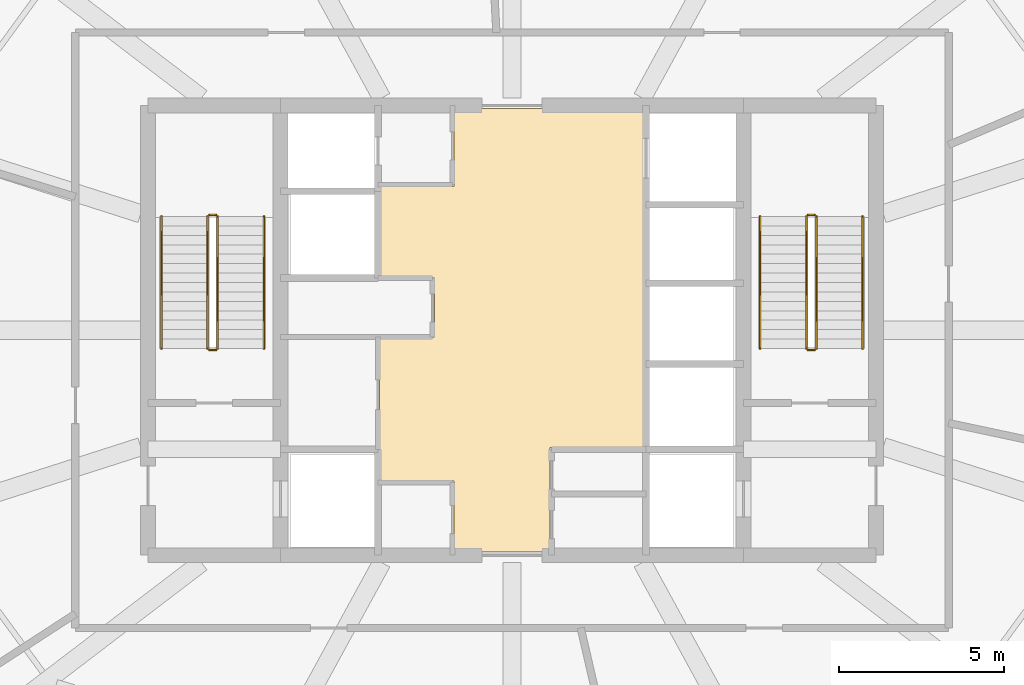
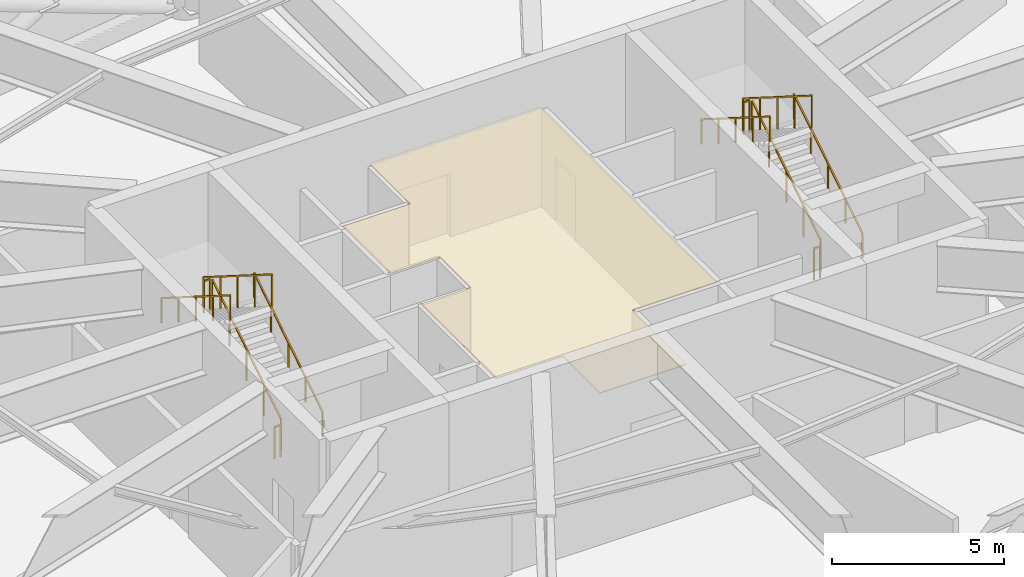
# One storey, part 8 of 8: 12 railings, 1 covering.
"""IFC4 building model written with IfcOpenShell, lengths in metres."""

import ifcopenshell
import ifcopenshell.guid

model = None  # the IFC model being written
_history = None  # IfcOwnerHistory: only IFC2X3 demands one
_inside = {}  # id of a spatial element -> (the spatial element, [elements in it])
_under = {}  # id of a project, library or spatial element -> (it, [spatial elements below it])
_declared = {}  # id of a project -> (the project, [libraries it declares])
_typed = {}  # id of a type object -> (the type object, [elements of that type])
_made_of = {}  # id of a material, layer set ... -> (it, [elements and type objects made of it])


def new_model(schema):
    """Start an empty IFC model of exactly this schema.

    Asked for "IFC4X3", IfcOpenShell would pick the latest addendum, in which some entities
    have other attributes; the version numbers below select the first issue.
    IFC2X3 requires an IfcOwnerHistory on every rooted entity: one is made here for all.
    """
    global model, _history
    if schema == "IFC4X3":
        model = ifcopenshell.file(schema_version=(4, 3, 0, 0))
    else:
        model = ifcopenshell.file(schema=schema)
    _inside.clear()
    _under.clear()
    _declared.clear()
    _typed.clear()
    _made_of.clear()
    _history = None
    if model.schema == "IFC2X3":
        org = make("IfcOrganization", Name="unknown")
        user = make(
            "IfcPersonAndOrganization",
            ThePerson=make("IfcPerson", FamilyName="unknown"),
            TheOrganization=org,
        )
        app = make(
            "IfcApplication",
            ApplicationDeveloper=org,
            Version="unknown",
            ApplicationFullName="unknown",
            ApplicationIdentifier="unknown",
        )
        _history = make(
            "IfcOwnerHistory",
            OwningUser=user,
            OwningApplication=app,
            ChangeAction="ADDED",
            CreationDate=0,
        )
    return model


def make(cls, **values):
    """One entity of the class cls with the attributes given. An attribute that is None is left unset."""
    return model.create_entity(
        cls, **{name: value for name, value in values.items() if value is not None}
    )


def rooted(cls, **values):
    """An entity with a GlobalId (a new one), such as an element, a storey or a relation."""
    return make(cls, GlobalId=ifcopenshell.guid.new(), OwnerHistory=_history, **values)


def si_unit(unit_type, name, prefix=None):
    """IfcSIUnit, for example si_unit("LENGTHUNIT", "METRE", prefix="MILLI")."""
    return make("IfcSIUnit", UnitType=unit_type, Prefix=prefix, Name=name)


def assignment(units):
    """IfcUnitAssignment: the units of a project."""
    return None if units is None else make("IfcUnitAssignment", Units=units)


def point(xyz):
    """IfcCartesianPoint."""
    return None if xyz is None else make("IfcCartesianPoint", Coordinates=xyz)


def direction(xyz):
    """IfcDirection."""
    return None if xyz is None else make("IfcDirection", DirectionRatios=xyz)


def frame(location, z_axis=None, x_axis=None):
    """IfcAxis2Placement3D, a coordinate frame: its origin and axes. An axis left out is left unset."""
    return make(
        "IfcAxis2Placement3D",
        Location=point(location),
        Axis=direction(z_axis),
        RefDirection=direction(x_axis),
    )


def frame_2d(location, x_axis=None):
    """IfcAxis2Placement2D, a coordinate frame in the plane: its origin and x axis."""
    return make(
        "IfcAxis2Placement2D", Location=point(location), RefDirection=direction(x_axis)
    )


def origin():
    """The frame at (0, 0, 0) with its axes left unset."""
    return frame((0.0, 0.0, 0.0))


def origin_2d():
    """The frame at (0, 0) in the plane with its x axis left unset."""
    return frame_2d((0.0, 0.0))


def place(relative_to, where):
    """IfcLocalPlacement: puts the frame where relative to a parent placement (None: the world)."""
    return make(
        "IfcLocalPlacement", PlacementRelTo=relative_to, RelativePlacement=where
    )


def context(
    kind, dimensions, precision=None, world=None, true_north=None, identifier=None
):
    """IfcGeometricRepresentationContext, for example the 3D "Model" context."""
    return make(
        "IfcGeometricRepresentationContext",
        ContextIdentifier=identifier,
        ContextType=kind,
        CoordinateSpaceDimension=dimensions,
        Precision=precision,
        WorldCoordinateSystem=world,
        TrueNorth=true_north,
    )


def subcontext(parent, identifier, kind, view, scale=None):
    """IfcGeometricRepresentationSubContext, for example "Body" below "Model"."""
    return make(
        "IfcGeometricRepresentationSubContext",
        ContextIdentifier=identifier,
        ContextType=kind,
        ParentContext=parent,
        TargetScale=scale,
        TargetView=view,
    )


def project(units=None, contexts=None):
    """IfcProject with its units and contexts."""
    return rooted(
        "IfcProject",
        Name="project",
        RepresentationContexts=contexts,
        UnitsInContext=assignment(units),
    )


def spatial(cls, under=None, at=None, **own):
    """A site, building, storey or space (cls), placed at a placement, below another one or the project."""
    s = rooted(cls, ObjectPlacement=at, **own)
    if under is not None:
        _under.setdefault(under.id(), (under, []))[1].append(s)
    return s


def polyline(points):
    """IfcPolyline through the points."""
    return make("IfcPolyline", Points=[point(p) for p in points])


def profile(cls, at=None, kind="AREA", **sizes):
    """A parametric profile (cls). Its sizes go by their IFC names, for example OverallWidth=200.0."""
    return make(cls, ProfileType=kind, Position=at, **sizes)


def rectangle(**sizes):
    """IfcRectangleProfileDef."""
    return profile("IfcRectangleProfileDef", **sizes)


def outline(outer, holes=None, kind="AREA"):
    """IfcArbitraryClosedProfileDef: a profile drawn as a closed curve; with holes, ...WithVoids."""
    if holes is None:
        return make("IfcArbitraryClosedProfileDef", ProfileType=kind, OuterCurve=outer)
    return make(
        "IfcArbitraryProfileDefWithVoids",
        ProfileType=kind,
        OuterCurve=outer,
        InnerCurves=holes,
    )


def extrude(swept, where, along, depth):
    """IfcExtrudedAreaSolid: the profile swept, set in the frame where, extruded along a direction by depth."""
    return make(
        "IfcExtrudedAreaSolid",
        SweptArea=swept,
        Position=where,
        ExtrudedDirection=direction(along),
        Depth=depth,
    )


def shape(context_of_items, identifier, shape_type, items):
    """IfcShapeRepresentation: the items that make up one representation, for example the "Body"."""
    return make(
        "IfcShapeRepresentation",
        ContextOfItems=context_of_items,
        RepresentationIdentifier=identifier,
        RepresentationType=shape_type,
        Items=items,
    )


def material(Name=None, Category=None):
    """IfcMaterial."""
    return make("IfcMaterial", Name=Name, Category=Category)


def layer(
    of_material, thickness, ventilated=None, Name=None, Category=None, Priority=None
):
    """IfcMaterialLayer: one layer of a wall or slab, of a material (None: an air gap)."""
    return make(
        "IfcMaterialLayer",
        Material=of_material,
        LayerThickness=thickness,
        IsVentilated=ventilated,
        Name=Name,
        Category=Category,
        Priority=Priority,
    )


def layer_set(layers, Name=None):
    """IfcMaterialLayerSet."""
    return make("IfcMaterialLayerSet", MaterialLayers=layers, LayerSetName=Name)


def made_of(thing, what):
    """Note that an element or type object is made of a material, layer set ...; save() writes the relation."""
    if what is not None:
        _made_of.setdefault(what.id(), (what, []))[1].append(thing)
    return thing


def type_object(cls, material=None, **own):
    """A type object (cls), such as IfcWallType, which elements share."""
    return made_of(rooted(cls, **own), material)


def element(
    cls,
    number,
    at=None,
    inside=None,
    cuts=None,
    type_object=None,
    material=None,
    context=None,
    identifier="Body",
    shape_type=None,
    held_by="IfcProductDefinitionShape",
    body=None,
    shapes=None,
    **own,
):
    """One element of the class cls, such as IfcWall. Its Tag is "e" and its number.

    at: its placement. inside: the storey or other place that contains it. cuts: it is an
    opening in that element (IfcRelVoidsElement). A single representation is given by context,
    identifier, shape_type and body (its items); several are given by shapes. held_by: the class
    of the entity that holds the representations. save() writes the other relations.
    """
    e = rooted(cls, Tag="e%d" % number, ObjectPlacement=at, **own)
    if body is not None:
        shapes = [shape(context, identifier, shape_type, body)]
    if shapes is not None:
        e.Representation = make(held_by, Representations=shapes)
    if inside is not None:
        _inside.setdefault(inside.id(), (inside, []))[1].append(e)
    if cuts is not None:
        rooted(
            "IfcRelVoidsElement", RelatingBuildingElement=cuts, RelatedOpeningElement=e
        )
    if type_object is not None:
        _typed.setdefault(type_object.id(), (type_object, []))[1].append(e)
    return made_of(e, material)


def aggregate(whole, parts):
    """IfcRelAggregates: a whole, such as a stair, and the parts it consists of."""
    return rooted("IfcRelAggregates", RelatingObject=whole, RelatedObjects=parts)


def save(model, path):
    """Write the relations noted so far, then the file.

    IfcRelAggregates (storeys below a building ...), IfcRelContainedInSpatialStructure (elements
    in a storey), IfcRelDefinesByType, IfcRelAssociatesMaterial and IfcRelDeclares: one each for
    every whole, place, type object, material and project.
    """
    for whole, parts in _under.values():
        aggregate(whole, parts)
    for where, things in _inside.values():
        rooted(
            "IfcRelContainedInSpatialStructure",
            RelatedElements=things,
            RelatingStructure=where,
        )
    for kind, things in _typed.values():
        rooted("IfcRelDefinesByType", RelatedObjects=things, RelatingType=kind)
    for what, things in _made_of.values():
        rooted("IfcRelAssociatesMaterial", RelatedObjects=things, RelatingMaterial=what)
    for by, libraries in _declared.values():
        rooted("IfcRelDeclares", RelatingContext=by, RelatedDefinitions=libraries)
    model.write(path)


model = new_model("IFC4")

# Units and contexts
model_context = context("Model", 3, precision=1e-05, world=origin(), true_north=direction((0.0, 1.0)))
body_context = subcontext(model_context, "Body", "Model", "MODEL_VIEW")
ifc_project = project(units=[si_unit("LENGTHUNIT", "METRE"), si_unit("AREAUNIT", "SQUARE_METRE"), si_unit("VOLUMEUNIT", "CUBIC_METRE"), si_unit("PLANEANGLEUNIT", "RADIAN"), si_unit("MASSUNIT", "GRAM", prefix="KILO")], contexts=[model_context])

# Site, building, storey
site_placement = place(None, origin())
site = spatial("IfcSite", under=ifc_project, at=site_placement, CompositionType="ELEMENT")
building_placement = place(site_placement, origin())
building = spatial("IfcBuilding", under=site, at=building_placement, Name="Sarneth Arch Tower", CompositionType="ELEMENT")
storey_placement = place(building_placement, frame((0.0, 0.0, 201.0)))
storey = spatial("IfcBuildingStorey", under=building, at=storey_placement, Name="L51", CompositionType="ELEMENT", Elevation=201.0)

# Covering
ifc_material_1 = material(Name="Perforated acoustic gypsum ceiling board")
ifc_layer = layer(ifc_material_1, 0.02490234375)
ifc_layer_set = layer_set([ifc_layer], Name="Perforated acoustic gypsum ceiling board")
covering_type = type_object("IfcCoveringType", Name="COV-CEIL-GYP", PredefinedType="CEILING", material=ifc_layer_set)
covering_placement = place(storey_placement, frame((0.0, 0.0, 3.419921875)))
element("IfcCovering", 1, at=covering_placement, inside=storey, type_object=covering_type, Name="L51 Lift lobby acoustic ceiling", PredefinedType="CEILING", context=body_context, shape_type="SweptSolid", body=[
    extrude(outline(polyline([(49.14990234375, 38.449951171875), (49.14990234375, 35.300048828125), (46.25, 35.300048828125), (46.25, 37.449951171875), (44.0, 37.449951171875), (44.0, 41.800048828125), (45.64990234375, 41.800048828125), (45.64990234375, 43.580078125), (44.0, 43.580078125), (44.0, 46.35009765625), (46.25, 46.35009765625), (46.25, 48.699951171875), (52.0, 48.699951171875), (52.0, 38.449951171875), (49.14990234375, 38.449951171875)])), origin(), (0.0, 0.0, 1.0), 0.030029296875),
])

# Railings
ifc_material_2 = material(Name="Brushed Stainless Steel 304 tubular handrail", Category="steel")
railing_type_1 = type_object("IfcRailingType", Name="RAIL-HANDRAIL-900", PredefinedType="HANDRAIL", material=ifc_material_2)
railing_1_placement = place(storey_placement, frame((40.5, 41.449951171875, 0.179931640625)))
element("IfcRailing", 2, at=railing_1_placement, inside=storey, type_object=railing_type_1, Name="L51 ST-1 stair handrail 1", PredefinedType="HANDRAIL", context=body_context, shape_type="SweptSolid", body=[
    extrude(rectangle(XDim=0.048095703125, YDim=0.048095703125, at=origin_2d()), frame((0.0, 0.0, 0.8759765625), z_axis=(0.0, 0.845486444383, 0.533996884227), x_axis=(-1.0, 0.0, 0.0)), (0.0, 0.0, 1.0), 4.71923828125),
    extrude(rectangle(XDim=0.0419921875, YDim=0.0419921875, at=origin_2d()), origin(), (0.0, 0.0, 1.0), 0.851806640625),
    extrude(rectangle(XDim=0.0419921875, YDim=0.0419921875, at=origin_2d()), frame((0.0, 0.99755859375, 0.6298828125)), (0.0, 0.0, 1.0), 0.851806640625),
    extrude(rectangle(XDim=0.0419921875, YDim=0.0419921875, at=origin_2d()), frame((0.0, 1.9951171875, 1.260009765625)), (0.0, 0.0, 1.0), 0.851806640625),
    extrude(rectangle(XDim=0.0419921875, YDim=0.0419921875, at=origin_2d()), frame((0.0, 2.992431640625, 1.89013671875)), (0.0, 0.0, 1.0), 0.851806640625),
    extrude(rectangle(XDim=0.0419921875, YDim=0.0419921875, at=origin_2d()), frame((0.0, 3.989990234375, 2.52001953125)), (0.0, 0.0, 1.0), 0.851806640625),
])
railing_2_placement = place(storey_placement, frame((37.39990234375, 45.43994140625, 2.8798828125)))
element("IfcRailing", 3, at=railing_2_placement, inside=storey, type_object=railing_type_1, Name="L51 ST-1 stair handrail 2", PredefinedType="HANDRAIL", context=body_context, shape_type="SweptSolid", body=[
    extrude(rectangle(XDim=0.048095703125, YDim=0.048095703125, at=origin_2d()), frame((0.0, 0.0, 0.8759765625), z_axis=(0.0, -0.845486444383, 0.533996884227), x_axis=(1.0, 0.0, 0.0)), (0.0, 0.0, 1.0), 4.71923828125),
    extrude(rectangle(XDim=0.0419921875, YDim=0.0419921875, at=origin_2d()), origin(), (0.0, 0.0, 1.0), 0.851806640625),
    extrude(rectangle(XDim=0.0419921875, YDim=0.0419921875, at=origin_2d()), frame((0.0, -0.99755859375, 0.6298828125)), (0.0, 0.0, 1.0), 0.851806640625),
    extrude(rectangle(XDim=0.0419921875, YDim=0.0419921875, at=origin_2d()), frame((0.0, -1.9951171875, 1.260009765625)), (0.0, 0.0, 1.0), 0.851806640625),
    extrude(rectangle(XDim=0.0419921875, YDim=0.0419921875, at=origin_2d()), frame((0.0, -2.992431640625, 1.89013671875)), (0.0, 0.0, 1.0), 0.851806640625),
    extrude(rectangle(XDim=0.0419921875, YDim=0.0419921875, at=origin_2d()), frame((0.0, -3.989990234375, 2.52001953125)), (0.0, 0.0, 1.0), 0.851806640625),
])
railing_3_placement = place(storey_placement, frame((58.60009765625, 41.449951171875, 0.179931640625)))
element("IfcRailing", 4, at=railing_3_placement, inside=storey, type_object=railing_type_1, Name="L51 ST-2 stair handrail 1", PredefinedType="HANDRAIL", context=body_context, shape_type="SweptSolid", body=[
    extrude(rectangle(XDim=0.048095703125, YDim=0.048095703125, at=origin_2d()), frame((0.0, 0.0, 0.8759765625), z_axis=(0.0, 0.845486444383, 0.533996884227), x_axis=(-1.0, 0.0, 0.0)), (0.0, 0.0, 1.0), 4.71923828125),
    extrude(rectangle(XDim=0.0419921875, YDim=0.0419921875, at=origin_2d()), origin(), (0.0, 0.0, 1.0), 0.851806640625),
    extrude(rectangle(XDim=0.0419921875, YDim=0.0419921875, at=origin_2d()), frame((0.0, 0.99755859375, 0.6298828125)), (0.0, 0.0, 1.0), 0.851806640625),
    extrude(rectangle(XDim=0.0419921875, YDim=0.0419921875, at=origin_2d()), frame((0.0, 1.9951171875, 1.260009765625)), (0.0, 0.0, 1.0), 0.851806640625),
    extrude(rectangle(XDim=0.0419921875, YDim=0.0419921875, at=origin_2d()), frame((0.0, 2.992431640625, 1.89013671875)), (0.0, 0.0, 1.0), 0.851806640625),
    extrude(rectangle(XDim=0.0419921875, YDim=0.0419921875, at=origin_2d()), frame((0.0, 3.989990234375, 2.52001953125)), (0.0, 0.0, 1.0), 0.851806640625),
])
railing_4_placement = place(storey_placement, frame((55.5, 45.43994140625, 2.8798828125)))
element("IfcRailing", 5, at=railing_4_placement, inside=storey, type_object=railing_type_1, Name="L51 ST-2 stair handrail 2", PredefinedType="HANDRAIL", context=body_context, shape_type="SweptSolid", body=[
    extrude(rectangle(XDim=0.048095703125, YDim=0.048095703125, at=origin_2d()), frame((0.0, 0.0, 0.8759765625), z_axis=(0.0, -0.845486444383, 0.533996884227), x_axis=(1.0, 0.0, 0.0)), (0.0, 0.0, 1.0), 4.71923828125),
    extrude(rectangle(XDim=0.0419921875, YDim=0.0419921875, at=origin_2d()), origin(), (0.0, 0.0, 1.0), 0.851806640625),
    extrude(rectangle(XDim=0.0419921875, YDim=0.0419921875, at=origin_2d()), frame((0.0, -0.99755859375, 0.6298828125)), (0.0, 0.0, 1.0), 0.851806640625),
    extrude(rectangle(XDim=0.0419921875, YDim=0.0419921875, at=origin_2d()), frame((0.0, -1.9951171875, 1.260009765625)), (0.0, 0.0, 1.0), 0.851806640625),
    extrude(rectangle(XDim=0.0419921875, YDim=0.0419921875, at=origin_2d()), frame((0.0, -2.992431640625, 1.89013671875)), (0.0, 0.0, 1.0), 0.851806640625),
    extrude(rectangle(XDim=0.0419921875, YDim=0.0419921875, at=origin_2d()), frame((0.0, -3.989990234375, 2.52001953125)), (0.0, 0.0, 1.0), 0.851806640625),
])
ifc_material_3 = material(Name="Painted Steel S275 stair well guard", Category="steel")
railing_type_2 = type_object("IfcRailingType", Name="RAIL-STAIR-GUARD", PredefinedType="GUARDRAIL", material=ifc_material_3)
railing_5_placement = place(storey_placement, frame((39.10009765625, 41.449951171875, 0.179931640625)))
element("IfcRailing", 6, at=railing_5_placement, inside=storey, type_object=railing_type_2, Name="L51 ST-1 stair guard 1", PredefinedType="GUARDRAIL", context=body_context, shape_type="SweptSolid", body=[
    extrude(rectangle(XDim=0.048095703125, YDim=0.048095703125, at=origin_2d()), frame((0.0, 0.0, 1.1259765625), z_axis=(0.0, 0.845486444383, 0.533996884227), x_axis=(-1.0, 0.0, 0.0)), (0.0, 0.0, 1.0), 4.71923828125),
    extrude(rectangle(XDim=0.0419921875, YDim=0.0419921875, at=origin_2d()), origin(), (0.0, 0.0, 1.0), 1.101806640625),
    extrude(rectangle(XDim=0.0419921875, YDim=0.0419921875, at=origin_2d()), frame((0.0, 0.99755859375, 0.6298828125)), (0.0, 0.0, 1.0), 1.101806640625),
    extrude(rectangle(XDim=0.0419921875, YDim=0.0419921875, at=origin_2d()), frame((0.0, 1.9951171875, 1.260009765625)), (0.0, 0.0, 1.0), 1.101806640625),
    extrude(rectangle(XDim=0.0419921875, YDim=0.0419921875, at=origin_2d()), frame((0.0, 2.992431640625, 1.89013671875)), (0.0, 0.0, 1.0), 1.101806640625),
    extrude(rectangle(XDim=0.0419921875, YDim=0.0419921875, at=origin_2d()), frame((0.0, 3.989990234375, 2.52001953125)), (0.0, 0.0, 1.0), 1.101806640625),
])
railing_6_placement = place(storey_placement, frame((39.050048828125, 45.489990234375, 2.699951171875)))
element("IfcRailing", 7, at=railing_6_placement, inside=storey, type_object=railing_type_2, Name="L51 ST-1 stair guard 2", PredefinedType="GUARDRAIL", context=body_context, shape_type="SweptSolid", body=[
    extrude(rectangle(XDim=0.048095703125, YDim=0.048095703125, at=origin_2d()), frame((0.0, 0.0, 1.1259765625), z_axis=(-1.0, 0.0, 0.0), x_axis=(0.0, -1.0, 0.0)), (0.0, 0.0, 1.0), 0.199951171875),
    extrude(rectangle(XDim=0.0419921875, YDim=0.0419921875, at=origin_2d()), origin(), (0.0, 0.0, 1.0), 1.101806640625),
    extrude(rectangle(XDim=0.0419921875, YDim=0.0419921875, at=origin_2d()), frame((-0.199951171875, 0.0, 0.0)), (0.0, 0.0, 1.0), 1.101806640625),
])
railing_7_placement = place(storey_placement, frame((38.800048828125, 45.43994140625, 2.8798828125)))
element("IfcRailing", 8, at=railing_7_placement, inside=storey, type_object=railing_type_2, Name="L51 ST-1 stair guard 3", PredefinedType="GUARDRAIL", context=body_context, shape_type="SweptSolid", body=[
    extrude(rectangle(XDim=0.048095703125, YDim=0.048095703125, at=origin_2d()), frame((0.0, 0.0, 1.1259765625), z_axis=(0.0, -0.845486444383, 0.533996884227), x_axis=(1.0, 0.0, 0.0)), (0.0, 0.0, 1.0), 4.71923828125),
    extrude(rectangle(XDim=0.0419921875, YDim=0.0419921875, at=origin_2d()), origin(), (0.0, 0.0, 1.0), 1.101806640625),
    extrude(rectangle(XDim=0.0419921875, YDim=0.0419921875, at=origin_2d()), frame((0.0, -0.99755859375, 0.6298828125)), (0.0, 0.0, 1.0), 1.101806640625),
    extrude(rectangle(XDim=0.0419921875, YDim=0.0419921875, at=origin_2d()), frame((0.0, -1.9951171875, 1.260009765625)), (0.0, 0.0, 1.0), 1.101806640625),
    extrude(rectangle(XDim=0.0419921875, YDim=0.0419921875, at=origin_2d()), frame((0.0, -2.992431640625, 1.89013671875)), (0.0, 0.0, 1.0), 1.101806640625),
    extrude(rectangle(XDim=0.0419921875, YDim=0.0419921875, at=origin_2d()), frame((0.0, -3.989990234375, 2.52001953125)), (0.0, 0.0, 1.0), 1.101806640625),
])
railing_8_placement = place(storey_placement, frame((39.050048828125, 41.39990234375, 0.0)))
element("IfcRailing", 9, at=railing_8_placement, inside=storey, type_object=railing_type_2, Name="L51 ST-1 stair guard 4", PredefinedType="GUARDRAIL", context=body_context, shape_type="SweptSolid", body=[
    extrude(rectangle(XDim=0.048095703125, YDim=0.048095703125, at=origin_2d()), frame((0.0, 0.0, 1.1259765625), z_axis=(-1.0, 0.0, 0.0), x_axis=(0.0, -1.0, 0.0)), (0.0, 0.0, 1.0), 0.199951171875),
    extrude(rectangle(XDim=0.0419921875, YDim=0.0419921875, at=origin_2d()), origin(), (0.0, 0.0, 1.0), 1.101806640625),
    extrude(rectangle(XDim=0.0419921875, YDim=0.0419921875, at=origin_2d()), frame((-0.199951171875, 0.0, 0.0)), (0.0, 0.0, 1.0), 1.101806640625),
])
railing_9_placement = place(storey_placement, frame((57.199951171875, 41.449951171875, 0.179931640625)))
element("IfcRailing", 10, at=railing_9_placement, inside=storey, type_object=railing_type_2, Name="L51 ST-2 stair guard 1", PredefinedType="GUARDRAIL", context=body_context, shape_type="SweptSolid", body=[
    extrude(rectangle(XDim=0.048095703125, YDim=0.048095703125, at=origin_2d()), frame((0.0, 0.0, 1.1259765625), z_axis=(0.0, 0.845486444383, 0.533996884227), x_axis=(-1.0, 0.0, 0.0)), (0.0, 0.0, 1.0), 4.71923828125),
    extrude(rectangle(XDim=0.0419921875, YDim=0.0419921875, at=origin_2d()), origin(), (0.0, 0.0, 1.0), 1.101806640625),
    extrude(rectangle(XDim=0.0419921875, YDim=0.0419921875, at=origin_2d()), frame((0.0, 0.99755859375, 0.6298828125)), (0.0, 0.0, 1.0), 1.101806640625),
    extrude(rectangle(XDim=0.0419921875, YDim=0.0419921875, at=origin_2d()), frame((0.0, 1.9951171875, 1.260009765625)), (0.0, 0.0, 1.0), 1.101806640625),
    extrude(rectangle(XDim=0.0419921875, YDim=0.0419921875, at=origin_2d()), frame((0.0, 2.992431640625, 1.89013671875)), (0.0, 0.0, 1.0), 1.101806640625),
    extrude(rectangle(XDim=0.0419921875, YDim=0.0419921875, at=origin_2d()), frame((0.0, 3.989990234375, 2.52001953125)), (0.0, 0.0, 1.0), 1.101806640625),
])
railing_10_placement = place(storey_placement, frame((57.14990234375, 45.489990234375, 2.699951171875)))
element("IfcRailing", 11, at=railing_10_placement, inside=storey, type_object=railing_type_2, Name="L51 ST-2 stair guard 2", PredefinedType="GUARDRAIL", context=body_context, shape_type="SweptSolid", body=[
    extrude(rectangle(XDim=0.048095703125, YDim=0.048095703125, at=origin_2d()), frame((0.0, 0.0, 1.1259765625), z_axis=(-1.0, 0.0, 0.0), x_axis=(0.0, -1.0, 0.0)), (0.0, 0.0, 1.0), 0.199951171875),
    extrude(rectangle(XDim=0.0419921875, YDim=0.0419921875, at=origin_2d()), origin(), (0.0, 0.0, 1.0), 1.101806640625),
    extrude(rectangle(XDim=0.0419921875, YDim=0.0419921875, at=origin_2d()), frame((-0.199951171875, 0.0, 0.0)), (0.0, 0.0, 1.0), 1.101806640625),
])
railing_11_placement = place(storey_placement, frame((56.89990234375, 45.43994140625, 2.8798828125)))
element("IfcRailing", 12, at=railing_11_placement, inside=storey, type_object=railing_type_2, Name="L51 ST-2 stair guard 3", PredefinedType="GUARDRAIL", context=body_context, shape_type="SweptSolid", body=[
    extrude(rectangle(XDim=0.048095703125, YDim=0.048095703125, at=origin_2d()), frame((0.0, 0.0, 1.1259765625), z_axis=(0.0, -0.845486444383, 0.533996884227), x_axis=(1.0, 0.0, 0.0)), (0.0, 0.0, 1.0), 4.71923828125),
    extrude(rectangle(XDim=0.0419921875, YDim=0.0419921875, at=origin_2d()), origin(), (0.0, 0.0, 1.0), 1.101806640625),
    extrude(rectangle(XDim=0.0419921875, YDim=0.0419921875, at=origin_2d()), frame((0.0, -0.99755859375, 0.6298828125)), (0.0, 0.0, 1.0), 1.101806640625),
    extrude(rectangle(XDim=0.0419921875, YDim=0.0419921875, at=origin_2d()), frame((0.0, -1.9951171875, 1.260009765625)), (0.0, 0.0, 1.0), 1.101806640625),
    extrude(rectangle(XDim=0.0419921875, YDim=0.0419921875, at=origin_2d()), frame((0.0, -2.992431640625, 1.89013671875)), (0.0, 0.0, 1.0), 1.101806640625),
    extrude(rectangle(XDim=0.0419921875, YDim=0.0419921875, at=origin_2d()), frame((0.0, -3.989990234375, 2.52001953125)), (0.0, 0.0, 1.0), 1.101806640625),
])
railing_12_placement = place(storey_placement, frame((57.14990234375, 41.39990234375, 0.0)))
element("IfcRailing", 13, at=railing_12_placement, inside=storey, type_object=railing_type_2, Name="L51 ST-2 stair guard 4", PredefinedType="GUARDRAIL", context=body_context, shape_type="SweptSolid", body=[
    extrude(rectangle(XDim=0.048095703125, YDim=0.048095703125, at=origin_2d()), frame((0.0, 0.0, 1.1259765625), z_axis=(-1.0, 0.0, 0.0), x_axis=(0.0, -1.0, 0.0)), (0.0, 0.0, 1.0), 0.199951171875),
    extrude(rectangle(XDim=0.0419921875, YDim=0.0419921875, at=origin_2d()), origin(), (0.0, 0.0, 1.0), 1.101806640625),
    extrude(rectangle(XDim=0.0419921875, YDim=0.0419921875, at=origin_2d()), frame((-0.199951171875, 0.0, 0.0)), (0.0, 0.0, 1.0), 1.101806640625),
])

save(model, "model.ifc")
